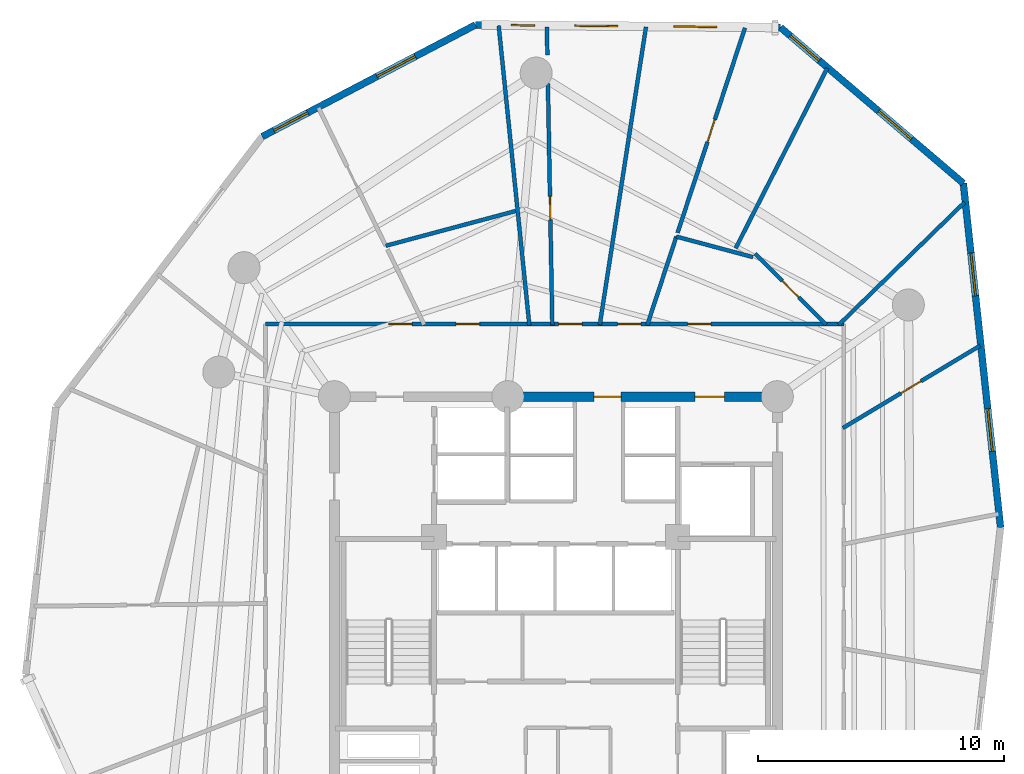
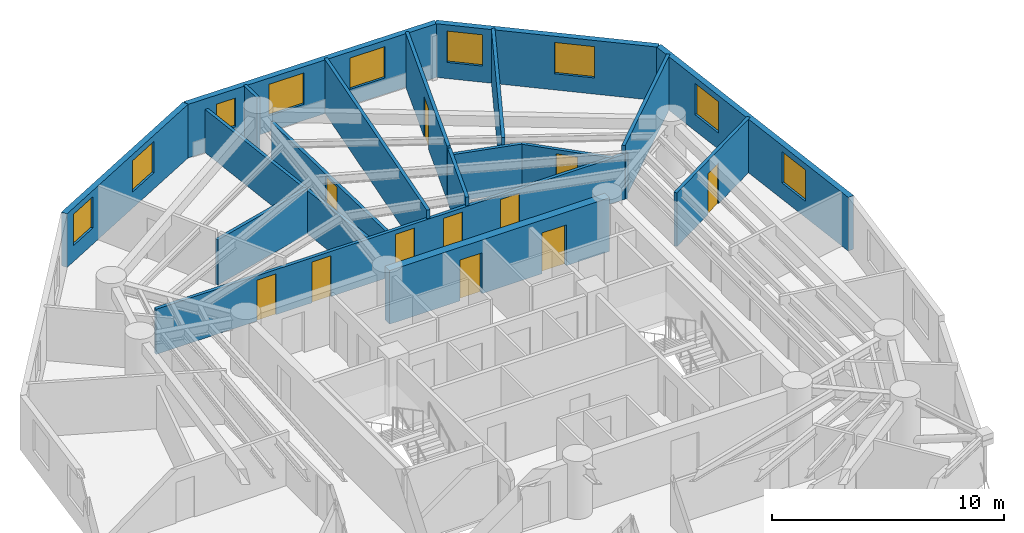
# One storey, part 6 of 10: 18 walls, 11 doors, 9 windows, 20 openings.
"""IFC4 building model written with IfcOpenShell, lengths in metres."""

from ifc_helpers import new_model, si_unit, direction, frame, frame_2d, origin, origin_with_axes, place, context, subcontext, project, spatial, rectangle, extrude, source, transform, mapped, material, layer, layer_set, type_object, element, fill, save


model = new_model("IFC4")

# Units and contexts
model_context = context("Model", 3, precision=1e-05, world=origin(), true_north=direction((0.0, 1.0)))
body_context = subcontext(model_context, "Body", "Model", "MODEL_VIEW")
ifc_project = project(units=[si_unit("LENGTHUNIT", "METRE"), si_unit("AREAUNIT", "SQUARE_METRE"), si_unit("VOLUMEUNIT", "CUBIC_METRE"), si_unit("PLANEANGLEUNIT", "RADIAN"), si_unit("MASSUNIT", "GRAM", prefix="KILO")], contexts=[model_context])

# Site, building, storey
site_placement = place(None, origin())
site = spatial("IfcSite", under=ifc_project, at=site_placement, CompositionType="ELEMENT")
building_placement = place(site_placement, origin())
building = spatial("IfcBuilding", under=site, at=building_placement, Name="Karkom Vertical University and Central Library", CompositionType="ELEMENT")
storey_placement = place(building_placement, frame((0.0, 0.0, 171.800048828125)))
storey = spatial("IfcBuildingStorey", under=building, at=storey_placement, Name="L49", CompositionType="ELEMENT", Elevation=171.800048828125)

# Wall, openings, windows
ifc_material_1 = material(Name="Brick-faced precast concrete C45/55", Category="masonry")
ifc_layer_1 = layer(ifc_material_1, 0.280029296875)
ifc_layer_set_1 = layer_set([ifc_layer_1], Name="Brick-faced precast concrete C45/55")
wall_type_1 = type_object("IfcWallType", Name="ENV-WL-BRK-280", PredefinedType="SOLIDWALL", material=ifc_layer_set_1)
wall_1_placement = place(storey_placement, frame((46.5712890625, 29.382080078125, 0.0), z_axis=(0.0, 0.0, 1.0), x_axis=(-0.107380334405, 0.994218016223, 0.0)))
wall_1 = element("IfcWall", 1, at=wall_1_placement, inside=storey, type_object=wall_type_1, Name="Level 49 Brick-Faced Precast Facade Wall 07", PredefinedType="SOLIDWALL", context=body_context, shape_type="SweptSolid", body=[
    extrude(rectangle(XDim=14.0712890625, YDim=0.280029296875, at=frame_2d((7.03564453125, 0.0))), origin(), (0.0, 0.0, 1.0), 2.824951171875),
])
opening_1_placement = place(wall_1_placement, frame((3.114013671875, 0.0, 0.85009765625)))
opening_1 = element("IfcOpeningElement", 2, at=opening_1_placement, cuts=wall_1, Name="Opening WN-08", PredefinedType="OPENING", context=body_context, shape_type="SweptSolid", body=[
    extrude(rectangle(XDim=1.75, YDim=1.64990234375, at=frame_2d((0.875, 0.824951171875))), frame((0.0, 0.14990234375, 0.0), z_axis=(0.0, -1.0, 0.0), x_axis=(1.0, 0.0, 0.0)), (0.0, 0.0, 1.0), 0.300048828125),
])
opening_2_placement = place(wall_1_placement, frame((9.472900390625, 0.0, 0.85009765625)))
opening_2 = element("IfcOpeningElement", 3, at=opening_2_placement, cuts=wall_1, Name="Opening WN-08", PredefinedType="OPENING", context=body_context, shape_type="SweptSolid", body=[
    extrude(rectangle(XDim=1.75, YDim=1.64990234375, at=frame_2d((0.875, 0.824951171875))), frame((0.0, 0.14990234375, 0.0), z_axis=(0.0, -1.0, 0.0), x_axis=(1.0, 0.0, 0.0)), (0.0, 0.0, 1.0), 0.300048828125),
])
ifc_material_2 = material(Name="Aluminium thermal-break frame with solar-control IGU", Category="aluminium")
window_type_1 = type_object("IfcWindowType", Name="ENV-WIN-WN-08", PartitioningType="SINGLE_PANEL", PredefinedType="WINDOW", material=ifc_material_2)
shared_shape_1 = source(origin_with_axes(), body_context, "Body", "SweptSolid", [
    extrude(rectangle(XDim=1.75, YDim=1.64990234375, at=frame_2d((0.875, 0.824951171875))), frame((0.0, 0.030029296875, 0.0), z_axis=(0.0, -1.0, 0.0), x_axis=(1.0, 0.0, 0.0)), (0.0, 0.0, 1.0), 0.06005859375),
])
window_1_placement = place(opening_1_placement, origin())
window_1 = element("IfcWindow", 4, at=window_1_placement, inside=storey, type_object=window_type_1, Name="Level 49 Punched Window 7.1", OverallHeight=1.64990234375, OverallWidth=1.75, PartitioningType="SINGLE_PANEL", PredefinedType="WINDOW", context=body_context, shape_type="MappedRepresentation", body=[
    mapped(shared_shape_1, transform((0.0, 0.0, 0.0), scale=1.0)),
])
fill(opening_1, window_1)
window_2_placement = place(opening_2_placement, origin())
window_2 = element("IfcWindow", 5, at=window_2_placement, inside=storey, type_object=window_type_1, Name="Level 49 Punched Window 7.2", OverallHeight=1.64990234375, OverallWidth=1.75, PartitioningType="SINGLE_PANEL", PredefinedType="WINDOW", context=body_context, shape_type="MappedRepresentation", body=[
    mapped(shared_shape_1, transform((0.0, 0.0, 0.0), scale=1.0)),
])
fill(opening_2, window_2)

wall_2_placement = place(storey_placement, frame((45.060302734375, 43.3720703125, 0.0), z_axis=(0.0, 0.0, 1.0), x_axis=(-0.761082698503, 0.64865485895, 0.0)))
wall_2 = element("IfcWall", 6, at=wall_2_placement, inside=storey, type_object=wall_type_1, Name="Level 49 Brick-Faced Precast Facade Wall 08", PredefinedType="SOLIDWALL", context=body_context, shape_type="SweptSolid", body=[
    extrude(rectangle(XDim=9.760986328125, YDim=0.280029296875, at=frame_2d((4.88037109375, 0.0))), origin(), (0.0, 0.0, 1.0), 2.824951171875),
])
opening_3_placement = place(wall_2_placement, frame((2.77294921875, 0.0, 0.85009765625)))
opening_3 = element("IfcOpeningElement", 7, at=opening_3_placement, cuts=wall_2, Name="Opening WN-08", PredefinedType="OPENING", context=body_context, shape_type="SweptSolid", body=[
    extrude(rectangle(XDim=1.75, YDim=1.64990234375, at=frame_2d((0.875, 0.824951171875))), frame((0.0, 0.14990234375, 0.0), z_axis=(0.0, -1.0, 0.0), x_axis=(1.0, 0.0, 0.0)), (0.0, 0.0, 1.0), 0.300048828125),
])
opening_4_placement = place(wall_2_placement, frame((7.693359375, 0.0, 0.85009765625)))
opening_4 = element("IfcOpeningElement", 8, at=opening_4_placement, cuts=wall_2, Name="Opening WN-09", PredefinedType="OPENING", context=body_context, shape_type="SweptSolid", body=[
    extrude(rectangle(XDim=1.550048828125, YDim=1.64990234375, at=frame_2d((0.77490234375, 0.824951171875))), frame((0.0, 0.14990234375, 0.0), z_axis=(0.0, -1.0, 0.0), x_axis=(1.0, 0.0, 0.0)), (0.0, 0.0, 1.0), 0.300048828125),
])
window_3_placement = place(opening_3_placement, origin())
window_3 = element("IfcWindow", 9, at=window_3_placement, inside=storey, type_object=window_type_1, Name="Level 49 Punched Window 8.1", OverallHeight=1.64990234375, OverallWidth=1.75, PartitioningType="SINGLE_PANEL", PredefinedType="WINDOW", context=body_context, shape_type="MappedRepresentation", body=[
    mapped(shared_shape_1, transform((0.0, 0.0, 0.0), scale=1.0)),
])
fill(opening_3, window_3)
window_type_2 = type_object("IfcWindowType", Name="ENV-WIN-WN-09", PartitioningType="SINGLE_PANEL", PredefinedType="WINDOW", material=ifc_material_2)
shared_shape_2 = source(origin_with_axes(), body_context, "Body", "SweptSolid", [
    extrude(rectangle(XDim=1.550048828125, YDim=1.64990234375, at=frame_2d((0.77490234375, 0.824951171875))), frame((0.0, 0.030029296875, 0.0), z_axis=(0.0, -1.0, 0.0), x_axis=(1.0, 0.0, 0.0)), (0.0, 0.0, 1.0), 0.06005859375),
])
window_4_placement = place(opening_4_placement, origin())
window_4 = element("IfcWindow", 10, at=window_4_placement, inside=storey, type_object=window_type_2, Name="Level 49 Punched Window 8.2", OverallHeight=1.64990234375, OverallWidth=1.550048828125, PartitioningType="SINGLE_PANEL", PredefinedType="WINDOW", context=body_context, shape_type="MappedRepresentation", body=[
    mapped(shared_shape_2, transform((0.0, 0.0, 0.0), scale=1.0)),
])
fill(opening_4, window_4)

wall_3_placement = place(storey_placement, frame((37.63134765625, 49.70361328125, 0.0), z_axis=(0.0, 0.0, 1.0), x_axis=(-0.999964493146, 0.008426888302, 0.0)))
wall_3 = element("IfcWall", 11, at=wall_3_placement, inside=storey, type_object=wall_type_1, Name="Level 49 Brick-Faced Precast Facade Wall 09", PredefinedType="SOLIDWALL", context=body_context, shape_type="SweptSolid", body=[
    extrude(rectangle(XDim=12.39990234375, YDim=0.280029296875, at=frame_2d((6.199951171875, 0.0))), origin(), (0.0, 0.0, 1.0), 2.824951171875),
])
opening_5_placement = place(wall_3_placement, frame((2.589599609375, 0.0, 0.85009765625)))
opening_5 = element("IfcOpeningElement", 12, at=opening_5_placement, cuts=wall_3, Name="Opening WN-08", PredefinedType="OPENING", context=body_context, shape_type="SweptSolid", body=[
    extrude(rectangle(XDim=1.75, YDim=1.64990234375, at=frame_2d((0.875, 0.824951171875))), frame((0.0, 0.14990234375, 0.0), z_axis=(0.0, -1.0, 0.0), x_axis=(1.0, 0.0, 0.0)), (0.0, 0.0, 1.0), 0.300048828125),
])
opening_6_placement = place(wall_3_placement, frame((6.609619140625, 0.0, 0.85009765625)))
opening_6 = element("IfcOpeningElement", 13, at=opening_6_placement, cuts=wall_3, Name="Opening WN-08", PredefinedType="OPENING", context=body_context, shape_type="SweptSolid", body=[
    extrude(rectangle(XDim=1.75, YDim=1.64990234375, at=frame_2d((0.875, 0.824951171875))), frame((0.0, 0.14990234375, 0.0), z_axis=(0.0, -1.0, 0.0), x_axis=(1.0, 0.0, 0.0)), (0.0, 0.0, 1.0), 0.300048828125),
])
opening_7_placement = place(wall_3_placement, frame((9.997802734375, 0.0, 0.85009765625)))
opening_7 = element("IfcOpeningElement", 14, at=opening_7_placement, cuts=wall_3, Name="Opening WN-12", PredefinedType="OPENING", context=body_context, shape_type="SweptSolid", body=[
    extrude(rectangle(XDim=0.949951171875, YDim=1.5, at=frame_2d((0.47509765625, 0.75))), frame((0.0, 0.14990234375, 0.0), z_axis=(0.0, -1.0, 0.0), x_axis=(1.0, 0.0, 0.0)), (0.0, 0.0, 1.0), 0.300048828125),
])
window_type_3 = type_object("IfcWindowType", Name="ENV-WIN-WN-12", PartitioningType="SINGLE_PANEL", PredefinedType="WINDOW", material=ifc_material_2)
shared_shape_3 = source(origin_with_axes(), body_context, "Body", "SweptSolid", [
    extrude(rectangle(XDim=0.949951171875, YDim=1.5, at=frame_2d((0.47509765625, 0.75))), frame((0.0, 0.030029296875, 0.0), z_axis=(0.0, -1.0, 0.0), x_axis=(1.0, 0.0, 0.0)), (0.0, 0.0, 1.0), 0.06005859375),
])
window_5_placement = place(opening_7_placement, origin())
window_5 = element("IfcWindow", 15, at=window_5_placement, inside=storey, type_object=window_type_3, Name="Level 49 Punched Window 9.3", OverallHeight=1.5, OverallWidth=0.949951171875, PartitioningType="SINGLE_PANEL", PredefinedType="WINDOW", context=body_context, shape_type="MappedRepresentation", body=[
    mapped(shared_shape_3, transform((0.0, 0.0, 0.0), scale=1.0)),
])
fill(opening_7, window_5)
window_6_placement = place(opening_5_placement, origin())
window_6 = element("IfcWindow", 16, at=window_6_placement, inside=storey, type_object=window_type_1, Name="Level 49 Punched Window 9.1", OverallHeight=1.64990234375, OverallWidth=1.75, PartitioningType="SINGLE_PANEL", PredefinedType="WINDOW", context=body_context, shape_type="MappedRepresentation", body=[
    mapped(shared_shape_1, transform((0.0, 0.0, 0.0), scale=1.0)),
])
fill(opening_5, window_6)
window_7_placement = place(opening_6_placement, origin())
window_7 = element("IfcWindow", 17, at=window_7_placement, inside=storey, type_object=window_type_1, Name="Level 49 Punched Window 9.2", OverallHeight=1.64990234375, OverallWidth=1.75, PartitioningType="SINGLE_PANEL", PredefinedType="WINDOW", context=body_context, shape_type="MappedRepresentation", body=[
    mapped(shared_shape_1, transform((0.0, 0.0, 0.0), scale=1.0)),
])
fill(opening_6, window_7)

wall_4_placement = place(storey_placement, frame((25.23193359375, 49.80810546875, 0.0), z_axis=(0.0, 0.0, 1.0), x_axis=(-0.88587354348, -0.463926788364, 0.0)))
wall_4 = element("IfcWall", 18, at=wall_4_placement, inside=storey, type_object=wall_type_1, Name="Level 49 Brick-Faced Precast Facade Wall 10", PredefinedType="SOLIDWALL", context=body_context, shape_type="SweptSolid", body=[
    extrude(rectangle(XDim=9.781982421875, YDim=0.280029296875, at=frame_2d((4.89111328125, 0.0))), origin(), (0.0, 0.0, 1.0), 2.824951171875),
])
opening_8_placement = place(wall_4_placement, frame((2.7607421875, 0.0, 0.85009765625)))
opening_8 = element("IfcOpeningElement", 19, at=opening_8_placement, cuts=wall_4, Name="Opening WN-08", PredefinedType="OPENING", context=body_context, shape_type="SweptSolid", body=[
    extrude(rectangle(XDim=1.75, YDim=1.64990234375, at=frame_2d((0.875, 0.824951171875))), frame((0.0, 0.14990234375, 0.0), z_axis=(0.0, -1.0, 0.0), x_axis=(1.0, 0.0, 0.0)), (0.0, 0.0, 1.0), 0.300048828125),
])
opening_9_placement = place(wall_4_placement, frame((7.691650390625, 0.0, 0.85009765625)))
opening_9 = element("IfcOpeningElement", 20, at=opening_9_placement, cuts=wall_4, Name="Opening WN-09", PredefinedType="OPENING", context=body_context, shape_type="SweptSolid", body=[
    extrude(rectangle(XDim=1.550048828125, YDim=1.64990234375, at=frame_2d((0.77490234375, 0.824951171875))), frame((0.0, 0.14990234375, 0.0), z_axis=(0.0, -1.0, 0.0), x_axis=(1.0, 0.0, 0.0)), (0.0, 0.0, 1.0), 0.300048828125),
])
window_8_placement = place(opening_8_placement, origin())
window_8 = element("IfcWindow", 21, at=window_8_placement, inside=storey, type_object=window_type_1, Name="Level 49 Punched Window 10.1", OverallHeight=1.64990234375, OverallWidth=1.75, PartitioningType="SINGLE_PANEL", PredefinedType="WINDOW", context=body_context, shape_type="MappedRepresentation", body=[
    mapped(shared_shape_1, transform((0.0, 0.0, 0.0), scale=1.0)),
])
fill(opening_8, window_8)
window_9_placement = place(opening_9_placement, origin())
window_9 = element("IfcWindow", 22, at=window_9_placement, inside=storey, type_object=window_type_2, Name="Level 49 Punched Window 10.2", OverallHeight=1.64990234375, OverallWidth=1.550048828125, PartitioningType="SINGLE_PANEL", PredefinedType="WINDOW", context=body_context, shape_type="MappedRepresentation", body=[
    mapped(shared_shape_2, transform((0.0, 0.0, 0.0), scale=1.0)),
])
fill(opening_9, window_9)

# Wall, openings, doors
ifc_material_3 = material(Name="Insulated metal-stud drywall 160mm", Category="gypsum")
ifc_layer_2 = layer(ifc_material_3, 0.159912109375)
ifc_layer_set_2 = layer_set([ifc_layer_2], Name="Insulated metal-stud drywall 160mm")
wall_type_2 = type_object("IfcWallType", Name="INT-WL-COR-160", PredefinedType="PARTITIONING", material=ifc_layer_set_2)
wall_5_placement = place(storey_placement, frame((16.699951171875, 37.64990234375, 0.0), z_axis=(0.0, 0.0, 1.0), x_axis=(1.0, 0.0, 0.0)))
wall_5 = element("IfcWall", 23, at=wall_5_placement, inside=storey, type_object=wall_type_2, Name="Level 49 Interior Partition Wall L49-CORW-CW-003", PredefinedType="PARTITIONING", context=body_context, shape_type="SweptSolid", body=[
    extrude(rectangle(XDim=23.5, YDim=0.159912109375, at=frame_2d((11.75, 0.0))), origin(), (0.0, 0.0, 1.0), 2.375),
])
opening_10_placement = place(wall_5_placement, frame((17.14990234375, 0.0, 0.0)))
opening_10 = element("IfcOpeningElement", 24, at=opening_10_placement, cuts=wall_5, Name="Opening D-RM1", PredefinedType="OPENING", context=body_context, shape_type="SweptSolid", body=[
    extrude(rectangle(XDim=0.949951171875, YDim=2.14990234375, at=frame_2d((0.47509765625, 1.074951171875))), frame((0.0, 0.08984375, 0.0), z_axis=(0.0, -1.0, 0.0), x_axis=(1.0, 0.0, 0.0)), (0.0, 0.0, 1.0), 0.179931640625),
])
opening_11_placement = place(wall_5_placement, frame((14.31005859375, 0.0, 0.0)))
opening_11 = element("IfcOpeningElement", 25, at=opening_11_placement, cuts=wall_5, Name="Opening D-RM1", PredefinedType="OPENING", context=body_context, shape_type="SweptSolid", body=[
    extrude(rectangle(XDim=0.949951171875, YDim=2.14990234375, at=frame_2d((0.47509765625, 1.074951171875))), frame((0.0, 0.08984375, 0.0), z_axis=(0.0, -1.0, 0.0), x_axis=(1.0, 0.0, 0.0)), (0.0, 0.0, 1.0), 0.179931640625),
])
opening_12_placement = place(wall_5_placement, frame((11.9150390625, 0.0, 0.0)))
opening_12 = element("IfcOpeningElement", 26, at=opening_12_placement, cuts=wall_5, Name="Opening D-RM1", PredefinedType="OPENING", context=body_context, shape_type="SweptSolid", body=[
    extrude(rectangle(XDim=0.949951171875, YDim=2.14990234375, at=frame_2d((0.47509765625, 1.074951171875))), frame((0.0, 0.08984375, 0.0), z_axis=(0.0, -1.0, 0.0), x_axis=(1.0, 0.0, 0.0)), (0.0, 0.0, 1.0), 0.179931640625),
])
opening_13_placement = place(wall_5_placement, frame((7.75, 0.0, 0.0)))
opening_13 = element("IfcOpeningElement", 27, at=opening_13_placement, cuts=wall_5, Name="Opening D-RM1", PredefinedType="OPENING", context=body_context, shape_type="SweptSolid", body=[
    extrude(rectangle(XDim=0.949951171875, YDim=2.14990234375, at=frame_2d((0.47509765625, 1.074951171875))), frame((0.0, 0.08984375, 0.0), z_axis=(0.0, -1.0, 0.0), x_axis=(1.0, 0.0, 0.0)), (0.0, 0.0, 1.0), 0.179931640625),
])
opening_14_placement = place(wall_5_placement, frame((5.010009765625, 0.0, 0.0)))
opening_14 = element("IfcOpeningElement", 28, at=opening_14_placement, cuts=wall_5, Name="Opening D-RM1", PredefinedType="OPENING", context=body_context, shape_type="SweptSolid", body=[
    extrude(rectangle(XDim=0.949951171875, YDim=2.14990234375, at=frame_2d((0.47509765625, 1.074951171875))), frame((0.0, 0.08984375, 0.0), z_axis=(0.0, -1.0, 0.0), x_axis=(1.0, 0.0, 0.0)), (0.0, 0.0, 1.0), 0.179931640625),
])
ifc_material_4 = material(Name="Solid-core oak veneer door", Category="wood")
door_type_1 = type_object("IfcDoorType", Name="INT-DR-RM1", OperationType="NOTDEFINED", PredefinedType="DOOR", material=ifc_material_4)
shared_shape_4 = source(origin_with_axes(), body_context, "Body", "SweptSolid", [
    extrude(rectangle(XDim=0.949951171875, YDim=2.14990234375, at=frame_2d((0.47509765625, 1.074951171875))), frame((0.0, 0.02490234375, 0.0), z_axis=(0.0, -1.0, 0.0), x_axis=(1.0, 0.0, 0.0)), (0.0, 0.0, 1.0), 0.050048828125),
])
door_1_placement = place(opening_10_placement, origin())
door_1 = element("IfcDoor", 29, at=door_1_placement, inside=storey, type_object=door_type_1, Name="Level 49 Room Entry Door 150", OperationType="SINGLE_SWING_RIGHT", OverallHeight=2.14990234375, OverallWidth=0.949951171875, PredefinedType="DOOR", context=body_context, shape_type="MappedRepresentation", body=[
    mapped(shared_shape_4, transform((0.0, 0.0, 0.0), scale=1.0)),
])
fill(opening_10, door_1)
door_2_placement = place(opening_11_placement, origin())
door_2 = element("IfcDoor", 30, at=door_2_placement, inside=storey, type_object=door_type_1, Name="Level 49 Room Entry Door 170", OperationType="SINGLE_SWING_LEFT", OverallHeight=2.14990234375, OverallWidth=0.949951171875, PredefinedType="DOOR", context=body_context, shape_type="MappedRepresentation", body=[
    mapped(shared_shape_4, transform((0.0, 0.0, 0.0), scale=1.0)),
])
fill(opening_11, door_2)
door_3_placement = place(opening_12_placement, origin())
door_3 = element("IfcDoor", 31, at=door_3_placement, inside=storey, type_object=door_type_1, Name="Level 49 Room Entry Door 180", OperationType="SINGLE_SWING_RIGHT", OverallHeight=2.14990234375, OverallWidth=0.949951171875, PredefinedType="DOOR", context=body_context, shape_type="MappedRepresentation", body=[
    mapped(shared_shape_4, transform((0.0, 0.0, 0.0), scale=1.0)),
])
fill(opening_12, door_3)
door_4_placement = place(opening_13_placement, origin())
door_4 = element("IfcDoor", 32, at=door_4_placement, inside=storey, type_object=door_type_1, Name="Level 49 Room Entry Door 210", OperationType="SINGLE_SWING_LEFT", OverallHeight=2.14990234375, OverallWidth=0.949951171875, PredefinedType="DOOR", context=body_context, shape_type="MappedRepresentation", body=[
    mapped(shared_shape_4, transform((0.0, 0.0, 0.0), scale=1.0)),
])
fill(opening_13, door_4)
door_5_placement = place(opening_14_placement, origin())
door_5 = element("IfcDoor", 33, at=door_5_placement, inside=storey, type_object=door_type_1, Name="Level 49 Room Entry Door 220", OperationType="SINGLE_SWING_RIGHT", OverallHeight=2.14990234375, OverallWidth=0.949951171875, PredefinedType="DOOR", context=body_context, shape_type="MappedRepresentation", body=[
    mapped(shared_shape_4, transform((0.0, 0.0, 0.0), scale=1.0)),
])
fill(opening_14, door_5)

# Walls
wall_6_placement = place(storey_placement, frame((30.28564453125, 37.620361328125, 0.0), z_axis=(0.0, 0.0, 1.0), x_axis=(0.153298738151, 0.988179890952, 0.0)))
element("IfcWall", 34, at=wall_6_placement, inside=storey, type_object=wall_type_2, Name="Level 49 Interior Partition Wall L49-PW-028", PredefinedType="PARTITIONING", context=body_context, shape_type="SweptSolid", body=[
    extrude(rectangle(XDim=12.24853515625, YDim=0.159912109375, at=frame_2d((6.124267578125, 0.0))), origin(), (0.0, 0.0, 1.0), 2.824951171875),
])
wall_7_placement = place(storey_placement, frame((27.423583984375, 37.605224609375, 0.0), z_axis=(0.0, 0.0, 1.0), x_axis=(-0.101840991834, 0.994800689778, 0.0)))
element("IfcWall", 35, at=wall_7_placement, inside=storey, type_object=wall_type_2, Name="Level 49 Interior Partition Wall L49-PW-031", PredefinedType="PARTITIONING", context=body_context, shape_type="SweptSolid", body=[
    extrude(rectangle(XDim=12.2333984375, YDim=0.159912109375, at=frame_2d((6.11669921875, 0.0))), origin(), (0.0, 0.0, 1.0), 2.27490234375),
])

# Wall, opening, door
wall_8_placement = place(storey_placement, frame((28.356689453125, 37.6201171875, 0.0), z_axis=(0.0, 0.0, 1.0), x_axis=(-0.018288713091, 0.9998327475, 0.0)))
wall_8 = element("IfcWall", 36, at=wall_8_placement, inside=storey, type_object=wall_type_2, Name="Level 49 Interior Partition Wall L49-PW-029", PredefinedType="PARTITIONING", context=body_context, shape_type="SweptSolid", body=[
    extrude(rectangle(XDim=9.811767578125, YDim=0.159912109375, at=frame_2d((4.90576171875, 0.0))), origin(), (0.0, 0.0, 1.0), 2.27490234375),
])
opening_15_placement = place(wall_8_placement, frame((4.270751953125, 0.0, 0.0)))
opening_15 = element("IfcOpeningElement", 37, at=opening_15_placement, cuts=wall_8, Name="Opening D-RM1", PredefinedType="OPENING", context=body_context, shape_type="SweptSolid", body=[
    extrude(rectangle(XDim=0.949951171875, YDim=2.14990234375, at=frame_2d((0.47509765625, 1.074951171875))), frame((0.0, 0.08984375, 0.0), z_axis=(0.0, -1.0, 0.0), x_axis=(1.0, 0.0, 0.0)), (0.0, 0.0, 1.0), 0.179931640625),
])
door_6_placement = place(opening_15_placement, origin())
door_6 = element("IfcDoor", 38, at=door_6_placement, inside=storey, type_object=door_type_1, Name="Level 49 Room Entry Door 190", OperationType="SINGLE_SWING_LEFT", OverallHeight=2.14990234375, OverallWidth=0.949951171875, PredefinedType="DOOR", context=body_context, shape_type="MappedRepresentation", body=[
    mapped(shared_shape_4, transform((0.0, 0.0, 0.0), scale=1.0)),
])
fill(opening_15, door_6)

wall_9_placement = place(storey_placement, frame((33.447265625, 41.357177734375, 0.0), z_axis=(0.0, 0.0, 1.0), x_axis=(0.312266005105, 0.94999470633, 0.0)))
wall_9 = element("IfcWall", 39, at=wall_9_placement, inside=storey, type_object=wall_type_2, Name="Level 49 Interior Partition Wall L49-PW-027", PredefinedType="PARTITIONING", context=body_context, shape_type="SweptSolid", body=[
    extrude(rectangle(XDim=8.76904296875, YDim=0.159912109375, at=frame_2d((4.384521484375, 0.0))), origin(), (0.0, 0.0, 1.0), 2.824951171875),
])
opening_16_placement = place(wall_9_placement, frame((3.89208984375, 0.0, 0.0)))
opening_16 = element("IfcOpeningElement", 40, at=opening_16_placement, cuts=wall_9, Name="Opening D-RM1", PredefinedType="OPENING", context=body_context, shape_type="SweptSolid", body=[
    extrude(rectangle(XDim=0.949951171875, YDim=2.14990234375, at=frame_2d((0.47509765625, 1.074951171875))), frame((0.0, 0.08984375, 0.0), z_axis=(0.0, -1.0, 0.0), x_axis=(1.0, 0.0, 0.0)), (0.0, 0.0, 1.0), 0.179931640625),
])
door_7_placement = place(opening_16_placement, origin())
door_7 = element("IfcDoor", 41, at=door_7_placement, inside=storey, type_object=door_type_1, Name="Level 49 Room Entry Door 160", OperationType="SINGLE_SWING_RIGHT", OverallHeight=2.14990234375, OverallWidth=0.949951171875, PredefinedType="DOOR", context=body_context, shape_type="MappedRepresentation", body=[
    mapped(shared_shape_4, transform((0.0, 0.0, 0.0), scale=1.0)),
])
fill(opening_16, door_7)

# Walls
wall_10_placement = place(storey_placement, frame((35.8037109375, 40.725830078125, 0.0), z_axis=(0.0, 0.0, 1.0), x_axis=(0.453382302462, 0.891316154804, 0.0)))
element("IfcWall", 42, at=wall_10_placement, inside=storey, type_object=wall_type_2, Name="Level 49 Interior Partition Wall L49-PW-024", PredefinedType="PARTITIONING", context=body_context, shape_type="SweptSolid", body=[
    extrude(rectangle(XDim=8.2177734375, YDim=0.159912109375, at=frame_2d((4.10888671875, 0.0))), origin(), (0.0, 0.0, 1.0), 2.824951171875),
])
wall_11_placement = place(storey_placement, frame((39.996826171875, 37.61865234375, 0.0), z_axis=(0.0, 0.0, 1.0), x_axis=(0.716204142826, 0.69789084089, 0.0)))
element("IfcWall", 43, at=wall_11_placement, inside=storey, type_object=wall_type_2, Name="Level 49 Interior Partition Wall L49-PW-021", PredefinedType="PARTITIONING", context=body_context, shape_type="SweptSolid", body=[
    extrude(rectangle(XDim=7.13232421875, YDim=0.159912109375, at=frame_2d((3.566162109375, 0.0))), origin(), (0.0, 0.0, 1.0), 2.824951171875),
])

# Wall, opening, door
wall_12_placement = place(storey_placement, frame((40.161376953125, 33.425048828125, 0.0), z_axis=(0.0, 0.0, 1.0), x_axis=(0.857539265449, 0.514418514649, 0.0)))
wall_12 = element("IfcWall", 44, at=wall_12_placement, inside=storey, type_object=wall_type_2, Name="Level 49 Interior Partition Wall L49-PW-020", PredefinedType="PARTITIONING", context=body_context, shape_type="SweptSolid", body=[
    extrude(rectangle(XDim=6.507568359375, YDim=0.159912109375, at=frame_2d((3.25390625, 0.0))), origin(), (0.0, 0.0, 1.0), 2.824951171875),
])
opening_17_placement = place(wall_12_placement, frame((2.753662109375, 0.0, 0.0)))
opening_17 = element("IfcOpeningElement", 45, at=opening_17_placement, cuts=wall_12, Name="Opening D-RM1", PredefinedType="OPENING", context=body_context, shape_type="SweptSolid", body=[
    extrude(rectangle(XDim=0.949951171875, YDim=2.14990234375, at=frame_2d((0.47509765625, 1.074951171875))), frame((0.0, 0.08984375, 0.0), z_axis=(0.0, -1.0, 0.0), x_axis=(1.0, 0.0, 0.0)), (0.0, 0.0, 1.0), 0.179931640625),
])
door_8_placement = place(opening_17_placement, origin())
door_8 = element("IfcDoor", 46, at=door_8_placement, inside=storey, type_object=door_type_1, Name="Level 49 Room Entry Door 130", OperationType="SINGLE_SWING_RIGHT", OverallHeight=2.14990234375, OverallWidth=0.949951171875, PredefinedType="DOOR", context=body_context, shape_type="MappedRepresentation", body=[
    mapped(shared_shape_4, transform((0.0, 0.0, 0.0), scale=1.0)),
])
fill(opening_17, door_8)

# Wall
wall_13_placement = place(storey_placement, frame((26.861328125, 42.24365234375, 0.0), z_axis=(0.0, 0.0, 1.0), x_axis=(-0.965933680277, -0.258789731841, 0.0)))
element("IfcWall", 47, at=wall_13_placement, inside=storey, type_object=wall_type_2, Name="Level 49 Interior Partition Wall L49-PW-032", PredefinedType="PARTITIONING", context=body_context, shape_type="SweptSolid", body=[
    extrude(rectangle(XDim=5.45947265625, YDim=0.159912109375, at=frame_2d((2.729736328125, 0.0))), origin(), (0.0, 0.0, 1.0), 2.375),
])

# Wall, opening, door
wall_14_placement = place(storey_placement, frame((39.477294921875, 37.62890625, 0.0), z_axis=(0.0, 0.0, 1.0), x_axis=(-0.707136690743, 0.707076870365, 0.0)))
wall_14 = element("IfcWall", 48, at=wall_14_placement, inside=storey, type_object=wall_type_2, Name="Level 49 Interior Partition Wall L49-PW-022", PredefinedType="PARTITIONING", context=body_context, shape_type="SweptSolid", body=[
    extrude(rectangle(XDim=4.081298828125, YDim=0.159912109375, at=frame_2d((2.04052734375, 0.0))), origin(), (0.0, 0.0, 1.0), 2.375),
])
opening_18_placement = place(wall_14_placement, frame((1.565673828125, 0.0, 0.0)))
opening_18 = element("IfcOpeningElement", 49, at=opening_18_placement, cuts=wall_14, Name="Opening D-RM1", PredefinedType="OPENING", context=body_context, shape_type="SweptSolid", body=[
    extrude(rectangle(XDim=0.949951171875, YDim=2.14990234375, at=frame_2d((0.47509765625, 1.074951171875))), frame((0.0, 0.08984375, 0.0), z_axis=(0.0, -1.0, 0.0), x_axis=(1.0, 0.0, 0.0)), (0.0, 0.0, 1.0), 0.179931640625),
])
door_9_placement = place(opening_18_placement, origin())
door_9 = element("IfcDoor", 50, at=door_9_placement, inside=storey, type_object=door_type_1, Name="Level 49 Room Entry Door 140", OperationType="SINGLE_SWING_LEFT", OverallHeight=2.14990234375, OverallWidth=0.949951171875, PredefinedType="DOOR", context=body_context, shape_type="MappedRepresentation", body=[
    mapped(shared_shape_4, transform((0.0, 0.0, 0.0), scale=1.0)),
])
fill(opening_18, door_9)

# Walls
wall_15_placement = place(storey_placement, frame((32.21435546875, 37.607421875, 0.0), z_axis=(0.0, 0.0, 1.0), x_axis=(0.312337810946, 0.949971100536, 0.0)))
element("IfcWall", 51, at=wall_15_placement, inside=storey, type_object=wall_type_2, Name="Level 49 Interior Partition Wall L49-PW-026", PredefinedType="PARTITIONING", context=body_context, shape_type="SweptSolid", body=[
    extrude(rectangle(XDim=3.787109375, YDim=0.159912109375, at=frame_2d((1.8935546875, 0.0))), origin(), (0.0, 0.0, 1.0), 2.824951171875),
])
wall_16_placement = place(storey_placement, frame((33.397216796875, 41.205078125, 0.0), z_axis=(0.0, 0.0, 1.0), x_axis=(0.965920984925, -0.258837112643, 0.0)))
element("IfcWall", 52, at=wall_16_placement, inside=storey, type_object=wall_type_2, Name="Level 49 Interior Partition Wall L49-PW-025", PredefinedType="PARTITIONING", context=body_context, shape_type="SweptSolid", body=[
    extrude(rectangle(XDim=3.22119140625, YDim=0.159912109375, at=frame_2d((1.610595703125, 0.0))), origin(), (0.0, 0.0, 1.0), 2.494873046875),
])
wall_17_placement = place(storey_placement, frame((28.156005859375, 48.590087890625, 0.0), z_axis=(0.0, 0.0, 1.0), x_axis=(-0.018304061956, 0.999832466624, 0.0)))
element("IfcWall", 53, at=wall_17_placement, inside=storey, type_object=wall_type_2, Name="Level 49 Interior Partition Wall L49-PW-030", PredefinedType="PARTITIONING", context=body_context, shape_type="SweptSolid", body=[
    extrude(rectangle(XDim=1.1337890625, YDim=0.159912109375, at=frame_2d((0.56689453125, 0.0))), origin(), (0.0, 0.0, 1.0), 2.824951171875),
])

# Wall, openings, doors
ifc_material_5 = material(Name="Concrete C50/60", Category="concrete")
ifc_layer_3 = layer(ifc_material_5, 0.39990234375)
ifc_layer_set_3 = layer_set([ifc_layer_3], Name="Concrete C50/60")
wall_type_3 = type_object("IfcWallType", Name="STR-WL-CW-400", PredefinedType="SHEAR", material=ifc_layer_set_3)
wall_18_placement = place(storey_placement, frame((37.5, 34.699951171875, 0.0), z_axis=(0.0, 0.0, 1.0), x_axis=(-1.0, 0.0, 0.0)))
wall_18 = element("IfcWall", 54, at=wall_18_placement, inside=storey, type_object=wall_type_3, Name="Level 49 Central Core Shear Wall NW1", PredefinedType="SHEAR", context=body_context, shape_type="SweptSolid", body=[
    extrude(rectangle(XDim=10.949951171875, YDim=0.39990234375, at=frame_2d((5.47509765625, 0.0))), origin(), (0.0, 0.0, 1.0), 2.824951171875),
])
opening_19_placement = place(wall_18_placement, frame((2.14990234375, 0.0, 0.0)))
opening_19 = element("IfcOpeningElement", 55, at=opening_19_placement, cuts=wall_18, Name="Opening FD-SUB1", PredefinedType="OPENING", context=body_context, shape_type="SweptSolid", body=[
    extrude(rectangle(XDim=1.199951171875, YDim=2.14990234375, at=frame_2d((0.60009765625, 1.074951171875))), frame((0.0, 0.2099609375, 0.0), z_axis=(0.0, -1.0, 0.0), x_axis=(1.0, 0.0, 0.0)), (0.0, 0.0, 1.0), 0.419921875),
])
opening_20_placement = place(wall_18_placement, frame((6.35009765625, 0.0, 0.0)))
opening_20 = element("IfcOpeningElement", 56, at=opening_20_placement, cuts=wall_18, Name="Opening FD-FFL", PredefinedType="OPENING", context=body_context, shape_type="SweptSolid", body=[
    extrude(rectangle(XDim=1.10009765625, YDim=2.14990234375, at=frame_2d((0.550048828125, 1.074951171875))), frame((0.0, 0.2099609375, 0.0), z_axis=(0.0, -1.0, 0.0), x_axis=(1.0, 0.0, 0.0)), (0.0, 0.0, 1.0), 0.419921875),
])
ifc_material_6 = material(Name="Painted steel smoke-seal fire door", Category="steel")
door_type_2 = type_object("IfcDoorType", Name="INT-DR-FFL", OperationType="NOTDEFINED", PredefinedType="DOOR", material=ifc_material_6)
shared_shape_5 = source(origin_with_axes(), body_context, "Body", "SweptSolid", [
    extrude(rectangle(XDim=1.10009765625, YDim=2.14990234375, at=frame_2d((0.550048828125, 1.074951171875))), frame((0.0, 0.02490234375, 0.0), z_axis=(0.0, -1.0, 0.0), x_axis=(1.0, 0.0, 0.0)), (0.0, 0.0, 1.0), 0.050048828125),
])
door_10_placement = place(opening_20_placement, origin())
door_10 = element("IfcDoor", 57, at=door_10_placement, inside=storey, type_object=door_type_2, Name="Level 49 North Core Lobby Exit Door", OperationType="SINGLE_SWING_LEFT", OverallHeight=2.14990234375, OverallWidth=1.10009765625, PredefinedType="DOOR", context=body_context, shape_type="MappedRepresentation", body=[
    mapped(shared_shape_5, transform((0.0, 0.0, 0.0), scale=1.0)),
])
fill(opening_20, door_10)
ifc_material_7 = material(Name="Painted steel fire door", Category="steel")
door_type_3 = type_object("IfcDoorType", Name="INT-DR-SUB1", OperationType="NOTDEFINED", PredefinedType="DOOR", material=ifc_material_7)
shared_shape_6 = source(origin_with_axes(), body_context, "Body", "SweptSolid", [
    extrude(rectangle(XDim=1.199951171875, YDim=2.14990234375, at=frame_2d((0.60009765625, 1.074951171875))), frame((0.0, 0.02490234375, 0.0), z_axis=(0.0, -1.0, 0.0), x_axis=(1.0, 0.0, 0.0)), (0.0, 0.0, 1.0), 0.050048828125),
])
door_11_placement = place(opening_19_placement, origin())
door_11 = element("IfcDoor", 58, at=door_11_placement, inside=storey, type_object=door_type_3, Name="Level 49 Service Lobby Fire Door", OperationType="SINGLE_SWING_LEFT", OverallHeight=2.14990234375, OverallWidth=1.199951171875, PredefinedType="DOOR", context=body_context, shape_type="MappedRepresentation", body=[
    mapped(shared_shape_6, transform((0.0, 0.0, 0.0), scale=1.0)),
])
fill(opening_19, door_11)

save(model, "model.ifc")
